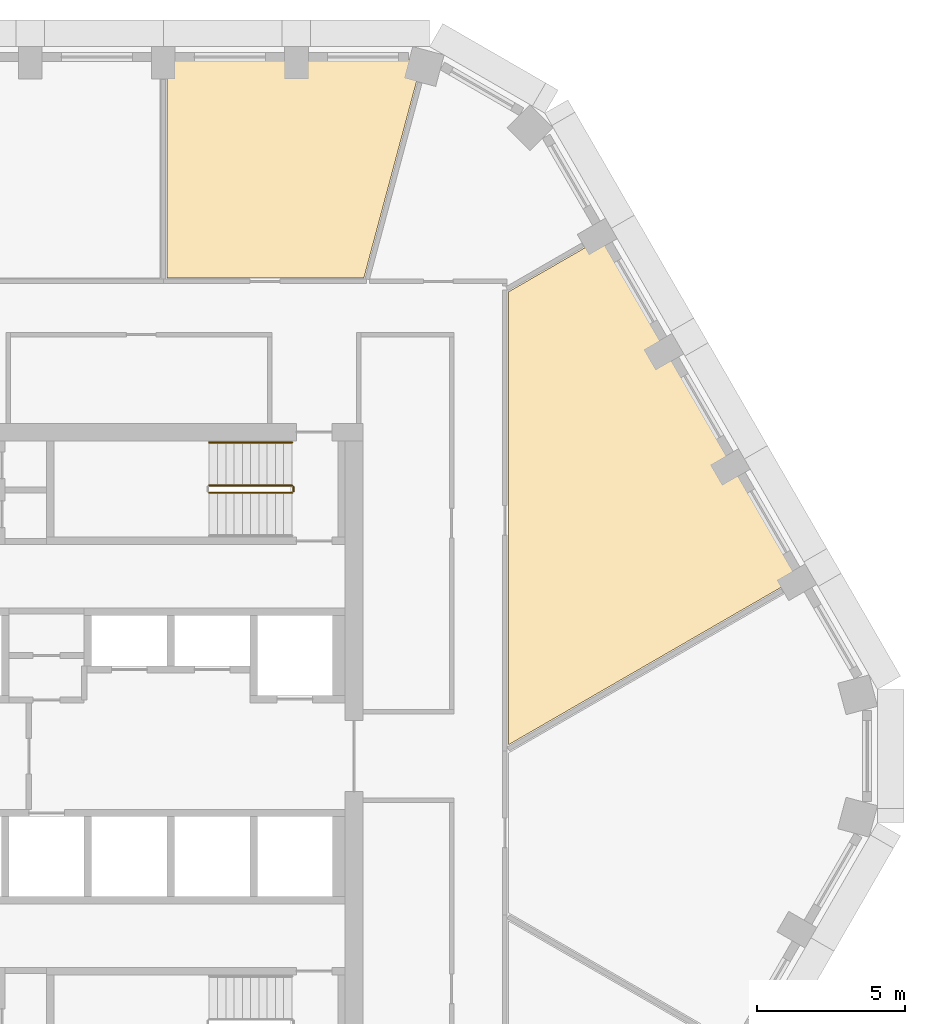
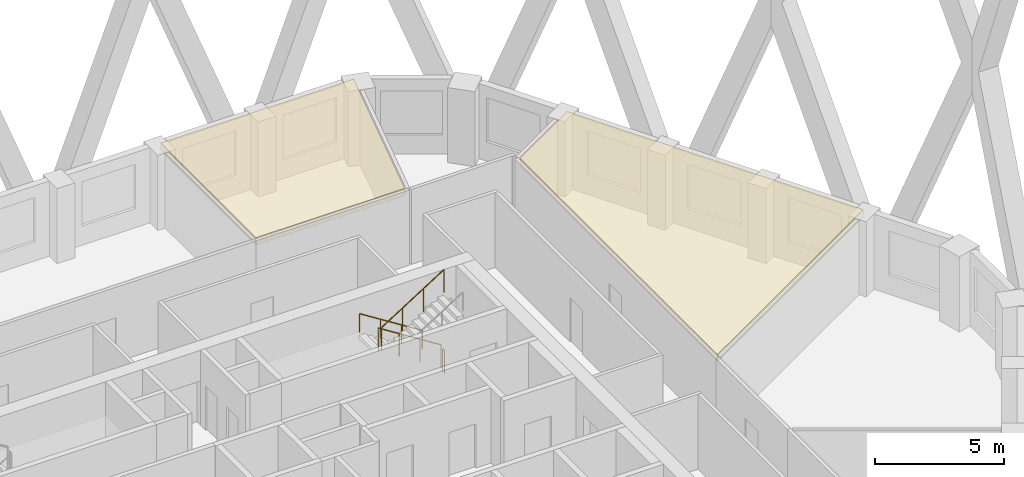
# One storey, part 15 of 16: 4 railings, 2 coverings.
"""IFC4 building model written with IfcOpenShell, lengths in metres."""

from ifc_helpers import new_model, si_unit, direction, frame, origin, origin_2d, place, context, subcontext, project, spatial, polyline, circle, outline, extrude, material, layer, layer_set, type_object, element, save


model = new_model("IFC4")

# Units and contexts
model_context = context("Model", 3, precision=1e-05, world=origin(), true_north=direction((0.0, 1.0)))
body_context = subcontext(model_context, "Body", "Model", "MODEL_VIEW")
ifc_project = project(units=[si_unit("LENGTHUNIT", "METRE"), si_unit("AREAUNIT", "SQUARE_METRE"), si_unit("VOLUMEUNIT", "CUBIC_METRE"), si_unit("PLANEANGLEUNIT", "RADIAN"), si_unit("MASSUNIT", "GRAM", prefix="KILO")], contexts=[model_context])

# Site, building, storey
site_placement = place(None, origin())
site = spatial("IfcSite", under=ifc_project, at=site_placement, CompositionType="ELEMENT")
building_placement = place(site_placement, origin())
building = spatial("IfcBuilding", under=site, at=building_placement, Name="Dhurran Vertical Campus", CompositionType="ELEMENT")
storey_placement = place(building_placement, frame((0.0, 0.0, 183.89990234375)))
storey = spatial("IfcBuildingStorey", under=building, at=storey_placement, Name="L45", CompositionType="ELEMENT", Elevation=183.89990234375)

# Railings
ifc_material_1 = material(Name="Stainless steel balustrade", Category="steel")
railing_type_1 = type_object("IfcRailingType", Name="co-RL-GUARD-1100", PredefinedType="GUARDRAIL", material=ifc_material_1)
railing_1_placement = place(storey_placement, frame((11.10009765625, 9.14990234375, 0.177490234375)))
element("IfcRailing", 1, at=railing_1_placement, inside=storey, type_object=railing_type_1, Name="L45 ST2 stair guard 1", PredefinedType="GUARDRAIL", context=body_context, shape_type="SweptSolid", body=[
    extrude(circle(Radius=0.02392578125, at=origin_2d()), frame((0.0, 0.0, 1.076171875), z_axis=(-0.844908973607, 0.0, 0.534910110503), x_axis=(0.0, -1.0, 0.0)), (0.0, 0.0, 1.0), 3.31396484375),
    extrude(circle(Radius=0.02099609375, at=origin_2d()), origin(), (0.0, 0.0, 1.0), 1.052001953125),
    extrude(circle(Radius=0.02099609375, at=origin_2d()), frame((-0.933349609375, 0.0, 0.5908203125)), (0.0, 0.0, 1.0), 1.052001953125),
    extrude(circle(Radius=0.02099609375, at=origin_2d()), frame((-1.86669921875, 0.0, 1.181884765625)), (0.0, 0.0, 1.0), 1.052001953125),
    extrude(circle(Radius=0.02099609375, at=origin_2d()), frame((-2.800048828125, 0.0, 1.772705078125)), (0.0, 0.0, 1.0), 1.052001953125),
])
railing_2_placement = place(storey_placement, frame((8.300048828125, 8.89990234375, 2.12744140625)))
element("IfcRailing", 2, at=railing_2_placement, inside=storey, type_object=railing_type_1, Name="L45 ST2 stair guard 3", PredefinedType="GUARDRAIL", context=body_context, shape_type="SweptSolid", body=[
    extrude(circle(Radius=0.02392578125, at=origin_2d()), frame((0.0, 0.0, 1.076171875), z_axis=(0.844908973607, 0.0, 0.534910110503), x_axis=(0.0, 1.0, 0.0)), (0.0, 0.0, 1.0), 3.31396484375),
    extrude(circle(Radius=0.02099609375, at=origin_2d()), origin(), (0.0, 0.0, 1.0), 1.052001953125),
    extrude(circle(Radius=0.02099609375, at=origin_2d()), frame((0.933349609375, 0.0, 0.5908203125)), (0.0, 0.0, 1.0), 1.052001953125),
    extrude(circle(Radius=0.02099609375, at=origin_2d()), frame((1.86669921875, 0.0, 1.181884765625)), (0.0, 0.0, 1.0), 1.052001953125),
    extrude(circle(Radius=0.02099609375, at=origin_2d()), frame((2.800048828125, 0.0, 1.772705078125)), (0.0, 0.0, 1.0), 1.052001953125),
])
railing_3_placement = place(storey_placement, frame((11.14990234375, 9.10009765625, 0.0)))
element("IfcRailing", 3, at=railing_3_placement, inside=storey, type_object=railing_type_1, Name="L45 ST2 stair guard 4", PredefinedType="GUARDRAIL", context=body_context, shape_type="SweptSolid", body=[
    extrude(circle(Radius=0.02392578125, at=origin_2d()), frame((0.0, 0.0, 1.076171875), z_axis=(0.0, -1.0, 0.0), x_axis=(1.0, 0.0, 0.0)), (0.0, 0.0, 1.0), 0.150146484375),
    extrude(circle(Radius=0.02099609375, at=origin_2d()), origin(), (0.0, 0.0, 1.0), 1.052001953125),
    extrude(circle(Radius=0.02099609375, at=origin_2d()), frame((0.0, -0.150146484375, 0.0)), (0.0, 0.0, 1.0), 1.052001953125),
])
ifc_material_2 = material(Name="Stainless steel handrail", Category="steel")
railing_type_2 = type_object("IfcRailingType", Name="co-RL-HANDRAIL-900", PredefinedType="HANDRAIL", material=ifc_material_2)
railing_4_placement = place(storey_placement, frame((11.10009765625, 10.60009765625, 0.177490234375)))
element("IfcRailing", 4, at=railing_4_placement, inside=storey, type_object=railing_type_2, Name="L45 ST2 stair handrail 1", PredefinedType="HANDRAIL", context=body_context, shape_type="SweptSolid", body=[
    extrude(circle(Radius=0.02392578125, at=origin_2d()), frame((0.0, 0.0, 0.8759765625), z_axis=(-0.844908973607, 0.0, 0.534910110503), x_axis=(0.0, -1.0, 0.0)), (0.0, 0.0, 1.0), 3.31396484375),
    extrude(circle(Radius=0.02099609375, at=origin_2d()), origin(), (0.0, 0.0, 1.0), 0.851806640625),
    extrude(circle(Radius=0.02099609375, at=origin_2d()), frame((-0.933349609375, 0.0, 0.5908203125)), (0.0, 0.0, 1.0), 0.851806640625),
    extrude(circle(Radius=0.02099609375, at=origin_2d()), frame((-1.86669921875, 0.0, 1.181884765625)), (0.0, 0.0, 1.0), 0.851806640625),
    extrude(circle(Radius=0.02099609375, at=origin_2d()), frame((-2.800048828125, 0.0, 1.772705078125)), (0.0, 0.0, 1.0), 0.851806640625),
])

# Coverings
ifc_material_3 = material(Name="Mineral fibre ceiling tiles on suspended grid")
ifc_layer = layer(ifc_material_3, 0.35009765625)
ifc_layer_set = layer_set([ifc_layer], Name="Mineral fibre ceiling tiles on suspended grid")
covering_type = type_object("IfcCoveringType", Name="fl-CE-350 suspended ceiling", PredefinedType="CEILING", material=ifc_layer_set)
covering_1_placement = place(storey_placement, frame((0.0, 0.0, 3.2001953125)))
element("IfcCovering", 5, at=covering_1_placement, inside=storey, type_object=covering_type, Name="Ceiling 45-25", PredefinedType="CEILING", context=body_context, shape_type="SweptSolid", body=[
    extrude(outline(polyline([(6.8701171875, 23.56591796875), (15.513916015625, 23.56591796875), (13.531982421875, 16.169921875), (6.8701171875, 16.169921875), (6.8701171875, 23.56591796875)])), origin(), (0.0, 0.0, 1.0), 0.349853515625),
])
covering_2_placement = place(storey_placement, frame((0.0, 0.0, 3.2001953125)))
element("IfcCovering", 6, at=covering_2_placement, inside=storey, type_object=covering_type, Name="Ceiling 45-30", PredefinedType="CEILING", context=body_context, shape_type="SweptSolid", body=[
    extrude(outline(polyline([(21.593017578125, 17.52392578125), (28.222900390625, 6.041015625), (18.419921875, 0.381103515625), (18.419921875, 15.693115234375), (21.593017578125, 17.52392578125)])), origin(), (0.0, 0.0, 1.0), 0.349853515625),
])

save(model, "model.ifc")
